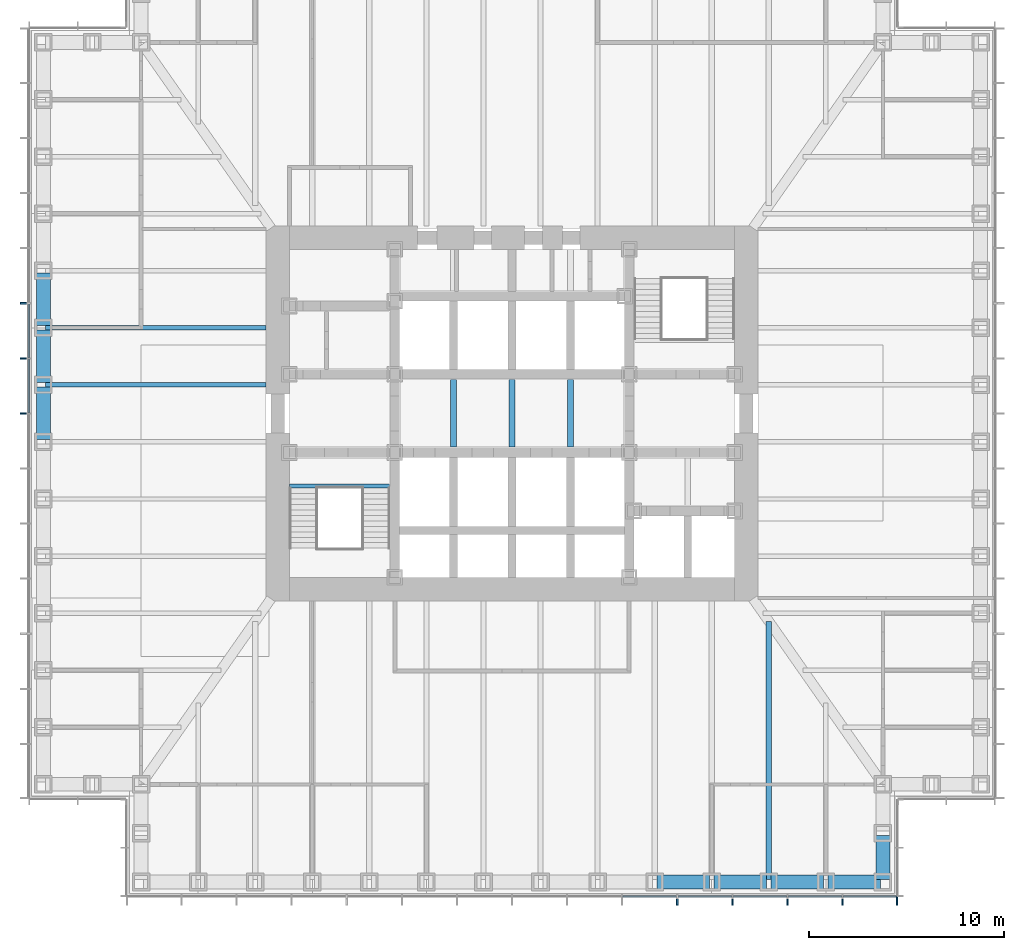
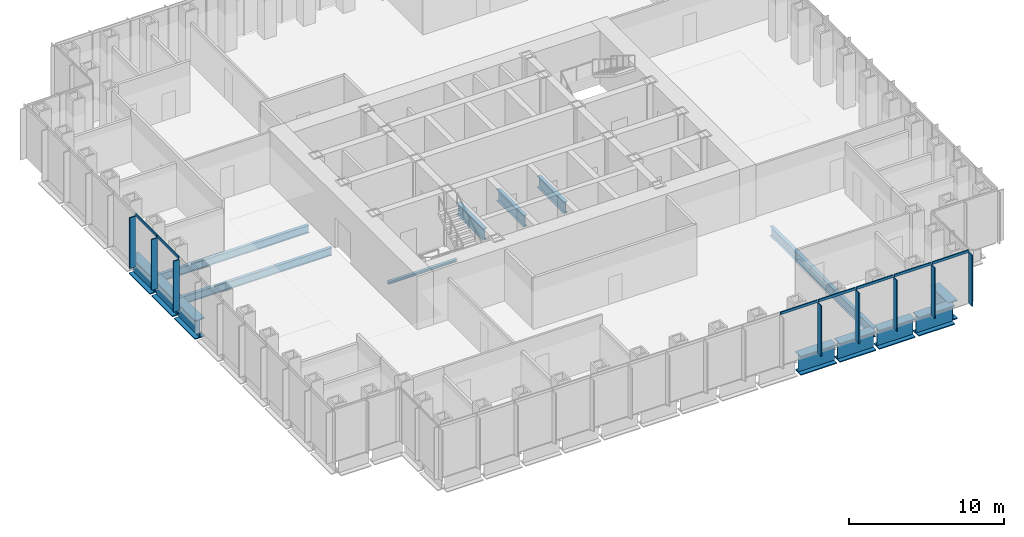
# One storey, part 3 of 17: 15 beams, 15 members, 2 elements without a shape of their own.
"""IFC4 building model written with IfcOpenShell, lengths in metres."""

from ifc_helpers import new_model, si_unit, direction, frame, origin, origin_2d, place, context, subcontext, project, spatial, rectangle, i_section, extrude, material, material_profile, profile_set, type_object, element, aggregate, save


model = new_model("IFC4")

# Units and contexts
model_context = context("Model", 3, precision=1e-05, world=origin(), true_north=direction((0.0, 1.0)))
body_context = subcontext(model_context, "Body", "Model", "MODEL_VIEW")
ifc_project = project(units=[si_unit("LENGTHUNIT", "METRE"), si_unit("AREAUNIT", "SQUARE_METRE"), si_unit("VOLUMEUNIT", "CUBIC_METRE"), si_unit("PLANEANGLEUNIT", "RADIAN"), si_unit("MASSUNIT", "GRAM", prefix="KILO")], contexts=[model_context])

# Site, building, storey
site_placement = place(None, origin())
site = spatial("IfcSite", under=ifc_project, at=site_placement, CompositionType="ELEMENT")
building_placement = place(site_placement, origin())
building = spatial("IfcBuilding", under=site, at=building_placement, Name="Daluyong Arena Tower", CompositionType="ELEMENT")
storey_placement = place(building_placement, frame((0.0, 0.0, 81.10009765625)))
storey = spatial("IfcBuildingStorey", under=building, at=storey_placement, Name="L17", CompositionType="ELEMENT", Elevation=81.10009765625)

# Curtain wall, members
ifc_material_1 = material(Name="Bronze anodised aluminium and glass", Category="aluminium")
curtain_wall_type = type_object("IfcCurtainWallType", Name="Curtain wall CW1", PredefinedType="USERDEFINED", material=ifc_material_1)
curtain_wall_1_placement = place(storey_placement, origin())
curtain_wall_1 = element("IfcCurtainWall", 1, at=curtain_wall_1_placement, inside=storey, type_object=curtain_wall_type, Name="curtain wall L17 S", ObjectType="UNITISED CURTAIN WALL", PredefinedType="USERDEFINED")
ifc_material_2 = material(Name="Bronze anodised aluminium fin", Category="aluminium")
ifc_material_profile_1 = material_profile(ifc_material_2, rectangle(XDim=0.449951171875, YDim=0.080078125, at=origin_2d()))
ifc_profile_set_1 = profile_set([ifc_material_profile_1], Name="Bronze anodised aluminium fin")
member_type_1 = type_object("IfcMemberType", Name="CW1 bronze fin 450x80", PredefinedType="MULLION", material=ifc_profile_set_1)
member_1_placement = place(storey_placement, frame((64.46435546875, 55.02490234375, 0.0), z_axis=(0.0, 0.0, 1.0), x_axis=(0.0, 1.0, 0.0)))
member_1 = element("IfcMember", 2, at=member_1_placement, type_object=member_type_1, Name="curtain wall L17 S fin 11", PredefinedType="MULLION", context=body_context, shape_type="SweptSolid", body=[
    extrude(rectangle(XDim=0.449951171875, YDim=0.080078125, at=origin_2d()), origin(), (0.0, 0.0, 1.0), 4.0),
])
member_2_placement = place(storey_placement, frame((67.28564453125, 55.02490234375, 0.0), z_axis=(0.0, 0.0, 1.0), x_axis=(0.0, 1.0, 0.0)))
member_2 = element("IfcMember", 3, at=member_2_placement, type_object=member_type_1, Name="curtain wall L17 S fin 12", PredefinedType="MULLION", context=body_context, shape_type="SweptSolid", body=[
    extrude(rectangle(XDim=0.449951171875, YDim=0.080078125, at=origin_2d()), origin(), (0.0, 0.0, 1.0), 4.0),
])
member_3_placement = place(storey_placement, frame((70.107177734375, 55.02490234375, 0.0), z_axis=(0.0, 0.0, 1.0), x_axis=(0.0, 1.0, 0.0)))
member_3 = element("IfcMember", 4, at=member_3_placement, type_object=member_type_1, Name="curtain wall L17 S fin 13", PredefinedType="MULLION", context=body_context, shape_type="SweptSolid", body=[
    extrude(rectangle(XDim=0.449951171875, YDim=0.080078125, at=origin_2d()), origin(), (0.0, 0.0, 1.0), 4.0),
])
member_4_placement = place(storey_placement, frame((72.928466796875, 55.02490234375, 0.0), z_axis=(0.0, 0.0, 1.0), x_axis=(0.0, 1.0, 0.0)))
member_4 = element("IfcMember", 5, at=member_4_placement, type_object=member_type_1, Name="curtain wall L17 S fin 14", PredefinedType="MULLION", context=body_context, shape_type="SweptSolid", body=[
    extrude(rectangle(XDim=0.449951171875, YDim=0.080078125, at=origin_2d()), origin(), (0.0, 0.0, 1.0), 4.0),
])
member_5_placement = place(storey_placement, frame((75.7099609375, 55.02490234375, 0.0), z_axis=(0.0, 0.0, 1.0), x_axis=(0.0, 1.0, 0.0)))
member_5 = element("IfcMember", 6, at=member_5_placement, type_object=member_type_1, Name="curtain wall L17 S fin 15", PredefinedType="MULLION", context=body_context, shape_type="SweptSolid", body=[
    extrude(rectangle(XDim=0.449951171875, YDim=0.080078125, at=origin_2d()), origin(), (0.0, 0.0, 1.0), 4.0),
])

curtain_wall_2_placement = place(storey_placement, origin())
curtain_wall_2 = element("IfcCurtainWall", 7, at=curtain_wall_2_placement, inside=storey, type_object=curtain_wall_type, Name="curtain wall L17 W", ObjectType="UNITISED CURTAIN WALL", PredefinedType="USERDEFINED")
member_6_placement = place(storey_placement, frame((31.02490234375, 85.642822265625, 0.0), z_axis=(0.0, 0.0, 1.0), x_axis=(1.0, 0.0, 0.0)))
member_6 = element("IfcMember", 8, at=member_6_placement, type_object=member_type_1, Name="curtain wall L17 W fin 6", PredefinedType="MULLION", context=body_context, shape_type="SweptSolid", body=[
    extrude(rectangle(XDim=0.449951171875, YDim=0.080078125, at=origin_2d()), origin(), (0.0, 0.0, 1.0), 4.0),
])
member_7_placement = place(storey_placement, frame((31.02490234375, 82.821533203125, 0.0), z_axis=(0.0, 0.0, 1.0), x_axis=(1.0, 0.0, 0.0)))
member_7 = element("IfcMember", 9, at=member_7_placement, type_object=member_type_1, Name="curtain wall L17 W fin 7", PredefinedType="MULLION", context=body_context, shape_type="SweptSolid", body=[
    extrude(rectangle(XDim=0.449951171875, YDim=0.080078125, at=origin_2d()), origin(), (0.0, 0.0, 1.0), 4.0),
])
member_8_placement = place(storey_placement, frame((31.02490234375, 80.0, 0.0), z_axis=(0.0, 0.0, 1.0), x_axis=(1.0, 0.0, 0.0)))
member_8 = element("IfcMember", 10, at=member_8_placement, type_object=member_type_1, Name="curtain wall L17 W fin 8", PredefinedType="MULLION", context=body_context, shape_type="SweptSolid", body=[
    extrude(rectangle(XDim=0.449951171875, YDim=0.080078125, at=origin_2d()), origin(), (0.0, 0.0, 1.0), 4.0),
])

# Member
ifc_material_3 = material(Name="Bronze anodised aluminium", Category="aluminium")
ifc_material_profile_2 = material_profile(ifc_material_3, rectangle(XDim=0.080078125, YDim=0.199951171875, at=origin_2d()))
ifc_profile_set_2 = profile_set([ifc_material_profile_2], Name="Bronze anodised aluminium")
member_type_2 = type_object("IfcMemberType", Name="CW1 stack transom 200x80", PredefinedType="USERDEFINED", material=ifc_profile_set_2)
member_9_placement = place(storey_placement, frame((61.682861328125, 55.25, 4.099853515625), z_axis=(1.0, 0.0, 0.0), x_axis=(0.0, 1.0, 0.0)))
member_9 = element("IfcMember", 11, at=member_9_placement, type_object=member_type_2, Name="curtain wall L17 S transom 10", ObjectType="TRANSOM", PredefinedType="USERDEFINED", context=body_context, shape_type="SweptSolid", body=[
    extrude(rectangle(XDim=0.080078125, YDim=0.199951171875, at=origin_2d()), origin(), (0.0, 0.0, 1.0), 2.741455078125),
])

member_10_placement = place(storey_placement, frame((64.50439453125, 55.25, 4.099853515625), z_axis=(1.0, 0.0, 0.0), x_axis=(0.0, 1.0, 0.0)))
member_10 = element("IfcMember", 12, at=member_10_placement, type_object=member_type_2, Name="curtain wall L17 S transom 11", ObjectType="TRANSOM", PredefinedType="USERDEFINED", context=body_context, shape_type="SweptSolid", body=[
    extrude(rectangle(XDim=0.080078125, YDim=0.199951171875, at=origin_2d()), origin(), (0.0, 0.0, 1.0), 2.7412109375),
])

member_11_placement = place(storey_placement, frame((67.32568359375, 55.25, 4.099853515625), z_axis=(1.0, 0.0, 0.0), x_axis=(0.0, 1.0, 0.0)))
member_11 = element("IfcMember", 13, at=member_11_placement, type_object=member_type_2, Name="curtain wall L17 S transom 12", ObjectType="TRANSOM", PredefinedType="USERDEFINED", context=body_context, shape_type="SweptSolid", body=[
    extrude(rectangle(XDim=0.080078125, YDim=0.199951171875, at=origin_2d()), origin(), (0.0, 0.0, 1.0), 2.741455078125),
])

member_12_placement = place(storey_placement, frame((70.147216796875, 55.25, 4.099853515625), z_axis=(1.0, 0.0, 0.0), x_axis=(0.0, 1.0, 0.0)))
member_12 = element("IfcMember", 14, at=member_12_placement, type_object=member_type_2, Name="curtain wall L17 S transom 13", ObjectType="TRANSOM", PredefinedType="USERDEFINED", context=body_context, shape_type="SweptSolid", body=[
    extrude(rectangle(XDim=0.080078125, YDim=0.199951171875, at=origin_2d()), origin(), (0.0, 0.0, 1.0), 2.741455078125),
])

member_13_placement = place(storey_placement, frame((72.968505859375, 55.25, 4.099853515625), z_axis=(1.0, 0.0, 0.0), x_axis=(0.0, 1.0, 0.0)))
member_13 = element("IfcMember", 15, at=member_13_placement, type_object=member_type_2, Name="curtain wall L17 S transom 14", ObjectType="TRANSOM", PredefinedType="USERDEFINED", context=body_context, shape_type="SweptSolid", body=[
    extrude(rectangle(XDim=0.080078125, YDim=0.199951171875, at=origin_2d()), origin(), (0.0, 0.0, 1.0), 2.701416015625),
])

aggregate(curtain_wall_1, [member_1, member_2, member_3, member_4, member_5, member_9, member_10, member_11, member_12, member_13])

member_14_placement = place(storey_placement, frame((31.25, 85.602783203125, 4.099853515625), z_axis=(0.0, -1.0, 0.0), x_axis=(1.0, 0.0, 0.0)))
member_14 = element("IfcMember", 16, at=member_14_placement, type_object=member_type_2, Name="curtain wall L17 W transom 6", ObjectType="TRANSOM", PredefinedType="USERDEFINED", context=body_context, shape_type="SweptSolid", body=[
    extrude(rectangle(XDim=0.080078125, YDim=0.199951171875, at=origin_2d()), origin(), (0.0, 0.0, 1.0), 2.741455078125),
])

member_15_placement = place(storey_placement, frame((31.25, 82.781494140625, 4.099853515625), z_axis=(0.0, -1.0, 0.0), x_axis=(1.0, 0.0, 0.0)))
member_15 = element("IfcMember", 17, at=member_15_placement, type_object=member_type_2, Name="curtain wall L17 W transom 7", ObjectType="TRANSOM", PredefinedType="USERDEFINED", context=body_context, shape_type="SweptSolid", body=[
    extrude(rectangle(XDim=0.080078125, YDim=0.199951171875, at=origin_2d()), origin(), (0.0, 0.0, 1.0), 2.741455078125),
])

aggregate(curtain_wall_2, [member_6, member_7, member_8, member_14, member_15])

# Beams
ifc_material_4 = material(Name="Steel ASTM A992 Grade 50", Category="steel")
ifc_material_profile_3 = material_profile(ifc_material_4, i_section(OverallWidth=0.22900390625, OverallDepth=0.612060546875, WebThickness=0.011962890625, FlangeThickness=0.01953125, at=origin_2d()))
ifc_profile_set_3 = profile_set([ifc_material_profile_3], Name="Steel ASTM A992 Grade 50")
beam_type_1 = type_object("IfcBeamType", Name="Floor beam W24X84", PredefinedType="BEAM", material=ifc_profile_set_3)
for number, where, z_axis, x_axis, name in (
    (18, (32.114990234375, 84.384521484375, -0.466064453125), (1.0, 0.0, 0.0), (0.0, 1.0, 0.0), "floor beam FB3"),
    (19, (32.114990234375, 81.46142578125, -0.466064453125), (1.0, 0.0, 0.0), (0.0, 1.0, 0.0), "floor beam FB3"),
):
    element("IfcBeam", number, at=place(storey_placement, frame(where, z_axis=z_axis, x_axis=x_axis)), inside=storey, type_object=beam_type_1, Name=name, PredefinedType="BEAM", context=body_context, shape_type="SweptSolid", body=[
        extrude(i_section(OverallWidth=0.22900390625, OverallDepth=0.612060546875, WebThickness=0.011962890625, FlangeThickness=0.01953125, at=origin_2d()), origin(), (0.0, 0.0, 1.0), 11.284912109375),
    ])
ifc_material_5 = material(Name="Steel ASTM A992 Grade 50", Category="steel")
ifc_material_profile_4 = material_profile(ifc_material_5, i_section(OverallWidth=0.2666015625, OverallDepth=0.761962890625, WebThickness=0.014404296875, FlangeThickness=0.021484375, at=origin_2d()))
ifc_profile_set_4 = profile_set([ifc_material_profile_4], Name="Steel ASTM A992 Grade 50")
beam_type_2 = type_object("IfcBeamType", Name="Floor beam W30X116", PredefinedType="BEAM", material=ifc_profile_set_4)
beam_1_placement = place(storey_placement, frame((69.15380859375, 56.114990234375, -0.541015625), z_axis=(0.0, 1.0, 0.0), x_axis=(-1.0, 0.0, 0.0)))
element("IfcBeam", 20, at=beam_1_placement, inside=storey, type_object=beam_type_2, Name="floor beam FB4", PredefinedType="BEAM", context=body_context, shape_type="SweptSolid", body=[
    extrude(i_section(OverallWidth=0.2666015625, OverallDepth=0.761962890625, WebThickness=0.014404296875, FlangeThickness=0.021484375, at=origin_2d()), origin(), (0.0, 0.0, 1.0), 13.236572265625),
])
ifc_material_6 = material(Name="Steel ASTM A572 Grade 50", Category="steel")
ifc_material_profile_5 = material_profile(ifc_material_6, i_section(OverallWidth=0.300048828125, OverallDepth=0.89990234375, WebThickness=0.025, FlangeThickness=0.04, at=origin_2d()))
ifc_profile_set_5 = profile_set([ifc_material_profile_5], Name="Steel ASTM A572 Grade 50")
beam_type_3 = type_object("IfcBeamType", Name="Lift divider beam PG900X300", PredefinedType="BEAM", material=ifc_profile_set_5)
for number, where, z_axis, x_axis, name in (
    (21, (53.0, 78.27490234375, -0.610107421875), (0.0, 1.0, 0.0), (-1.0, 0.0, 0.0), "lift divider beam DB1"),
    (22, (56.0, 78.27490234375, -0.610107421875), (0.0, 1.0, 0.0), (-1.0, 0.0, 0.0), "lift divider beam DB1"),
    (23, (59.0, 78.27490234375, -0.610107421875), (0.0, 1.0, 0.0), (-1.0, 0.0, 0.0), "lift divider beam DB1"),
):
    element("IfcBeam", number, at=place(storey_placement, frame(where, z_axis=z_axis, x_axis=x_axis)), inside=storey, type_object=beam_type_3, Name=name, PredefinedType="BEAM", context=body_context, shape_type="SweptSolid", body=[
        extrude(i_section(OverallWidth=0.300048828125, OverallDepth=0.89990234375, WebThickness=0.025, FlangeThickness=0.04, at=origin_2d()), origin(), (0.0, 0.0, 1.0), 3.4501953125),
    ])
ifc_material_7 = material(Name="Steel ASTM A572 Grade 50", Category="steel")
ifc_material_profile_6 = material_profile(ifc_material_7, i_section(OverallWidth=0.699951171875, OverallDepth=1.5, WebThickness=0.04, FlangeThickness=0.08, at=origin_2d()))
ifc_profile_set_6 = profile_set([ifc_material_profile_6], Name="Steel ASTM A572 Grade 50")
beam_type_4 = type_object("IfcBeamType", Name="Spandrel Z1 PG1500X700", PredefinedType="SPANDREL", material=ifc_profile_set_6)
for number, where, z_axis, x_axis, name in (
    (24, (63.422607421875, 56.0, -0.91015625), (1.0, 0.0, 0.0), (0.0, 1.0, 0.0), "spandrel z1 SB4"),
    (25, (66.345703125, 56.0, -0.91015625), (1.0, 0.0, 0.0), (0.0, 1.0, 0.0), "spandrel z1 SB4"),
    (26, (69.268798828125, 56.0, -0.91015625), (1.0, 0.0, 0.0), (0.0, 1.0, 0.0), "spandrel z1 SB4"),
    (27, (72.19189453125, 56.0, -0.91015625), (1.0, 0.0, 0.0), (0.0, 1.0, 0.0), "spandrel z1 SB4"),
):
    element("IfcBeam", number, at=place(storey_placement, frame(where, z_axis=z_axis, x_axis=x_axis)), inside=storey, type_object=beam_type_4, Name=name, PredefinedType="SPANDREL", context=body_context, shape_type="SweptSolid", body=[
        extrude(i_section(OverallWidth=0.699951171875, OverallDepth=1.5, WebThickness=0.04, FlangeThickness=0.08, at=origin_2d()), origin(), (0.0, 0.0, 1.0), 2.693115234375),
    ])
beam_2_placement = place(storey_placement, frame((75.0, 56.114990234375, -0.91015625), z_axis=(0.0, 1.0, 0.0), x_axis=(-1.0, 0.0, 0.0)))
element("IfcBeam", 28, at=beam_2_placement, inside=storey, type_object=beam_type_4, Name="spandrel z1 SB4", PredefinedType="SPANDREL", context=body_context, shape_type="SweptSolid", body=[
    extrude(i_section(OverallWidth=0.699951171875, OverallDepth=1.5, WebThickness=0.04, FlangeThickness=0.08, at=origin_2d()), origin(), (0.0, 0.0, 1.0), 2.27001953125),
])
for number, where, z_axis, x_axis, name in (
    (29, (32.0, 87.192626953125, -0.91015625), (0.0, -1.0, 0.0), (1.0, 0.0, 0.0), "spandrel z1 SB4"),
    (30, (32.0, 84.26953125, -0.91015625), (0.0, -1.0, 0.0), (1.0, 0.0, 0.0), "spandrel z1 SB4"),
):
    element("IfcBeam", number, at=place(storey_placement, frame(where, z_axis=z_axis, x_axis=x_axis)), inside=storey, type_object=beam_type_4, Name=name, PredefinedType="SPANDREL", context=body_context, shape_type="SweptSolid", body=[
        extrude(i_section(OverallWidth=0.699951171875, OverallDepth=1.5, WebThickness=0.04, FlangeThickness=0.08, at=origin_2d()), origin(), (0.0, 0.0, 1.0), 2.693115234375),
    ])
beam_3_placement = place(storey_placement, frame((32.0, 81.346435546875, -0.91015625), z_axis=(0.0, -1.0, 0.0), x_axis=(1.0, 0.0, 0.0)))
element("IfcBeam", 31, at=beam_3_placement, inside=storey, type_object=beam_type_4, Name="spandrel z1 SB4", PredefinedType="SPANDREL", context=body_context, shape_type="SweptSolid", body=[
    extrude(i_section(OverallWidth=0.699951171875, OverallDepth=1.5, WebThickness=0.04, FlangeThickness=0.08, at=origin_2d()), origin(), (0.0, 0.0, 1.0), 2.69287109375),
])
ifc_material_8 = material(Name="Steel ASTM A992 Grade 50", Category="steel")
ifc_material_profile_7 = material_profile(ifc_material_8, i_section(OverallWidth=0.203125, OverallDepth=0.203125, WebThickness=0.00732421875, FlangeThickness=0.010986328125, at=origin_2d()))
ifc_profile_set_7 = profile_set([ifc_material_profile_7], Name="Steel ASTM A992 Grade 50")
beam_type_5 = type_object("IfcBeamType", Name="Stair landing beam W8X31", PredefinedType="BEAM", material=ifc_profile_set_7)
beam_4_placement = place(storey_placement, frame((44.60009765625, 76.276611328125, -0.26171875), z_axis=(1.0, 0.0, 0.0), x_axis=(0.0, 1.0, 0.0)))
element("IfcBeam", 32, at=beam_4_placement, inside=storey, type_object=beam_type_5, Name="exit stair A landing beam", PredefinedType="BEAM", context=body_context, shape_type="SweptSolid", body=[
    extrude(i_section(OverallWidth=0.203125, OverallDepth=0.203125, WebThickness=0.00732421875, FlangeThickness=0.010986328125, at=origin_2d()), origin(), (0.0, 0.0, 1.0), 5.125),
])

save(model, "model.ifc")
